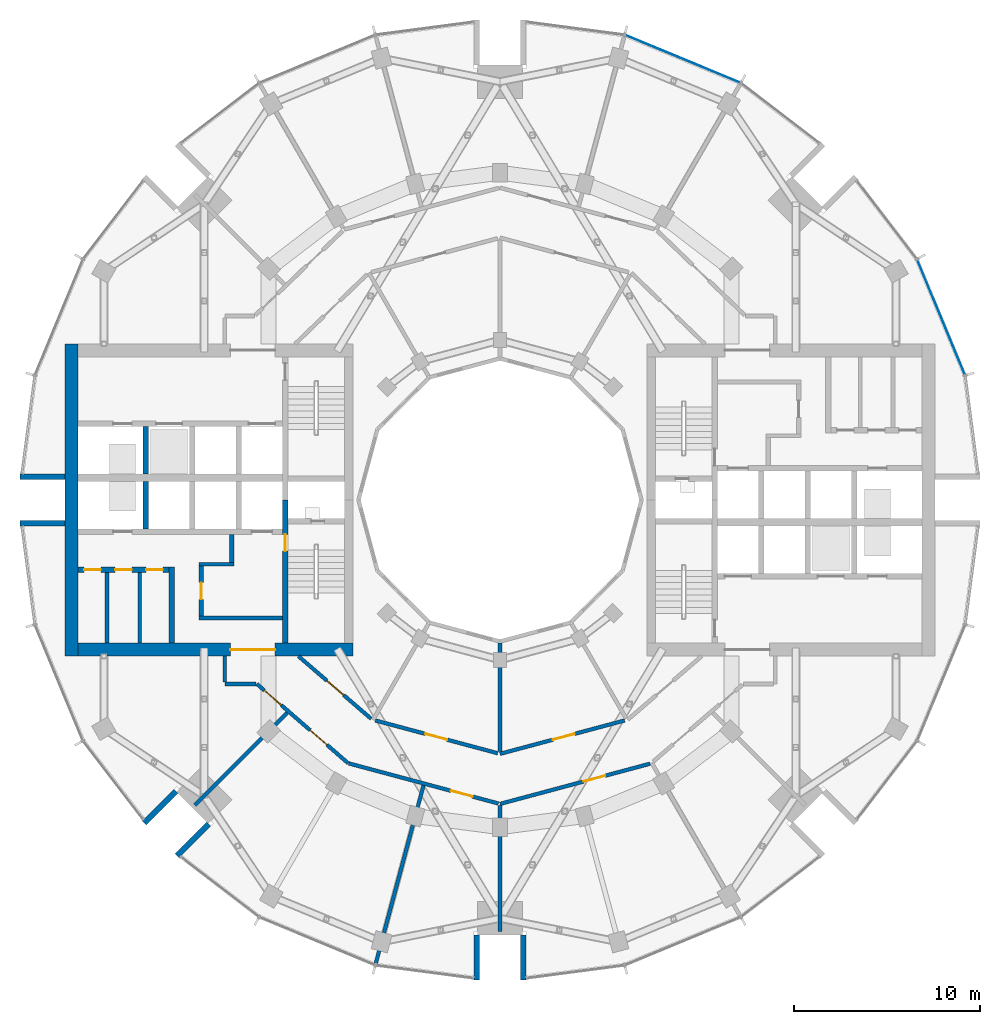
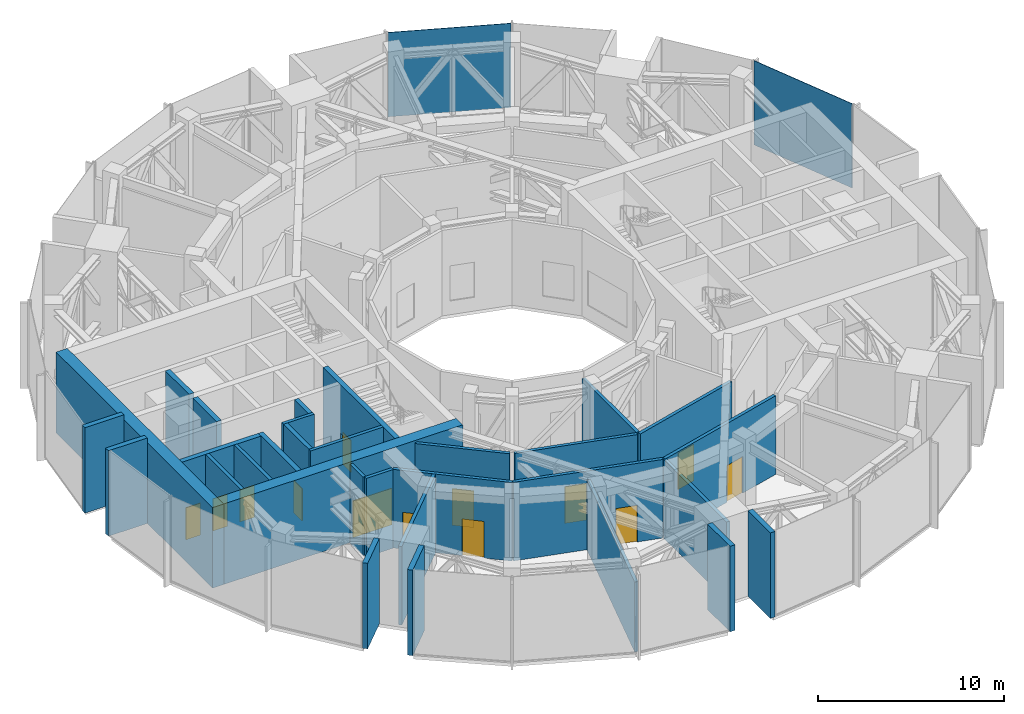
# One storey, part 12 of 18: 31 walls, 13 doors, 2 plates, 13 openings, 2 elements without a shape of their own.
"""IFC4 building model written with IfcOpenShell, lengths in metres."""

from ifc_helpers import new_model, si_unit, direction, frame, frame_2d, origin, origin_2d, place, context, subcontext, project, spatial, rectangle, extrude, material, layer, layer_set, type_object, element, fill, aggregate, save


model = new_model("IFC4")

# Units and contexts
model_context = context("Model", 3, precision=1e-05, world=origin(), true_north=direction((0.0, 1.0)))
body_context = subcontext(model_context, "Body", "Model", "MODEL_VIEW")
ifc_project = project(units=[si_unit("LENGTHUNIT", "METRE"), si_unit("AREAUNIT", "SQUARE_METRE"), si_unit("VOLUMEUNIT", "CUBIC_METRE"), si_unit("PLANEANGLEUNIT", "RADIAN"), si_unit("MASSUNIT", "GRAM", prefix="KILO")], contexts=[model_context])

# Site, building, storey
site_placement = place(None, origin())
site = spatial("IfcSite", under=ifc_project, at=site_placement, CompositionType="ELEMENT")
building_placement = place(site_placement, origin())
building = spatial("IfcBuilding", under=site, at=building_placement, Name="Torre Brocal", CompositionType="ELEMENT")
storey_placement = place(building_placement, frame((0.0, 0.0, 109.0)))
storey = spatial("IfcBuildingStorey", under=building, at=storey_placement, Name="L25", CompositionType="ELEMENT", Elevation=109.0)

# Curtain wall, plate
ifc_material_1 = material(Name="Aluminium and glass", Category="aluminium")
ifc_layer_1 = layer(ifc_material_1, 0.199951171875)
ifc_layer_set_1 = layer_set([ifc_layer_1], Name="Aluminium and glass")
curtain_wall_type = type_object("IfcCurtainWallType", Name="CW-1 CURTAIN WALL 5600 HIGH", PredefinedType="NOTDEFINED", material=ifc_layer_set_1)
curtain_wall_1_placement = place(storey_placement, origin())
curtain_wall_1 = element("IfcCurtainWall", 1, at=curtain_wall_1_placement, inside=storey, type_object=curtain_wall_type, Name="CW-1 RUN 2", PredefinedType="NOTDEFINED")
ifc_material_2 = material(Name="Aluminium composite panel", Category="aluminium")
ifc_layer_2 = layer(ifc_material_2, 0.031982421875)
ifc_layer_set_2 = layer_set([ifc_layer_2], Name="Aluminium composite panel")
plate_type = type_object("IfcPlateType", Name="CW-1 OPAQUE PANEL 32", PredefinedType="CURTAIN_PANEL", material=ifc_layer_set_2)
plate_1_placement = place(storey_placement, frame((103.722900390625, 84.826416015625, 0.080078125), z_axis=(0.0, 0.0, 1.0), x_axis=(-0.382683432333, 0.923879532525, 0.0)))
plate_1 = element("IfcPlate", 2, at=plate_1_placement, type_object=plate_type, Name="CW1-2 panel 1.1", PredefinedType="CURTAIN_PANEL", context=body_context, shape_type="SweptSolid", body=[
    extrude(rectangle(XDim=6.64111328125, YDim=0.031982421875, at=origin_2d()), origin(), (0.0, 0.0, 1.0), 5.52001953125),
])
aggregate(curtain_wall_1, [plate_1])

curtain_wall_2_placement = place(storey_placement, origin())
curtain_wall_2 = element("IfcCurtainWall", 3, at=curtain_wall_2_placement, inside=storey, type_object=curtain_wall_type, Name="CW-1 RUN 5", PredefinedType="NOTDEFINED")
plate_2_placement = place(storey_placement, frame((89.826416015625, 98.722900390625, 0.080078125), z_axis=(0.0, 0.0, 1.0), x_axis=(-0.923879532525, 0.382683432333, 0.0)))
plate_2 = element("IfcPlate", 4, at=plate_2_placement, type_object=plate_type, Name="CW1-2 panel 1.1", PredefinedType="CURTAIN_PANEL", context=body_context, shape_type="SweptSolid", body=[
    extrude(rectangle(XDim=6.64111328125, YDim=0.031982421875, at=origin_2d()), origin(), (0.0, 0.0, 1.0), 5.52001953125),
])
aggregate(curtain_wall_2, [plate_2])

# Walls
ifc_material_3 = material(Name="Masonry block", Category="masonry")
ifc_layer_3 = layer(ifc_material_3, 0.199951171875)
ifc_layer_set_3 = layer_set([ifc_layer_3], Name="Masonry block")
wall_type_1 = type_object("IfcWallType", Name="CORE PARTITION 200", PredefinedType="PARTITIONING", material=ifc_layer_set_3)
for number, where, z_axis, x_axis, name in (
    (5, (60.632080078125, 71.10009765625, 0.0), (0.0, 0.0, 1.0), (0.0, -1.0, 0.0), "Wall CP200"),
    (6, (58.867919921875, 71.10009765625, 0.0), (0.0, 0.0, 1.0), (0.0, -1.0, 0.0), "Wall CP200"),
):
    element("IfcWall", number, at=place(storey_placement, frame(where, z_axis=z_axis, x_axis=x_axis)), inside=storey, type_object=wall_type_1, Name=name, PredefinedType="PARTITIONING", context=body_context, shape_type="SweptSolid", body=[
        extrude(rectangle(XDim=3.800048828125, YDim=0.199951171875, at=frame_2d((1.89990234375, 0.0))), origin(), (0.0, 0.0, 1.0), 5.280029296875),
    ])
ifc_material_4 = material(Name="Concrete C70", Category="concrete")
ifc_layer_4 = layer(ifc_material_4, 0.199951171875)
ifc_layer_set_4 = layer_set([ifc_layer_4], Name="Concrete C70")
wall_type_2 = type_object("IfcWallType", Name="CORE WALL 200 C70", PredefinedType="SHEAR", material=ifc_layer_set_4)
wall_1_placement = place(storey_placement, frame((68.300048828125, 68.64990234375, 0.0), z_axis=(0.0, 0.0, 1.0), x_axis=(-1.0, 0.0, 0.0)))
element("IfcWall", 7, at=wall_1_placement, inside=storey, type_object=wall_type_2, Name="Wall CW200-70", PredefinedType="SHEAR", context=body_context, shape_type="SweptSolid", body=[
    extrude(rectangle(XDim=4.5, YDim=0.199951171875, at=frame_2d((2.25, 0.0))), origin(), (0.0, 0.0, 1.0), 5.280029296875),
])
wall_2_placement = place(storey_placement, frame((65.699951171875, 71.550048828125, 0.0), z_axis=(0.0, 0.0, 1.0), x_axis=(-1.0, 0.0, 0.0)))
element("IfcWall", 8, at=wall_2_placement, inside=storey, type_object=wall_type_2, Name="Wall CW200-70", PredefinedType="SHEAR", context=body_context, shape_type="SweptSolid", body=[
    extrude(rectangle(XDim=1.89990234375, YDim=0.199951171875, at=frame_2d((0.949951171875, 0.0))), origin(), (0.0, 0.0, 1.0), 5.280029296875),
])

# Wall, opening, door
ifc_material_5 = material(Name="Concrete C70", Category="concrete")
ifc_layer_5 = layer(ifc_material_5, 0.25)
ifc_layer_set_5 = layer_set([ifc_layer_5], Name="Concrete C70")
wall_type_3 = type_object("IfcWallType", Name="CORE WALL 250 C70", PredefinedType="SHEAR", material=ifc_layer_set_5)
wall_3_placement = place(storey_placement, frame((63.925048828125, 71.449951171875, 0.0), z_axis=(0.0, 0.0, 1.0), x_axis=(0.0, -1.0, 0.0)))
wall_3 = element("IfcWall", 9, at=wall_3_placement, inside=storey, type_object=wall_type_3, Name="Wall CW250-70", PredefinedType="SHEAR", context=body_context, shape_type="SweptSolid", body=[
    extrude(rectangle(XDim=2.699951171875, YDim=0.25, at=frame_2d((1.35009765625, 0.0))), origin(), (0.0, 0.0, 1.0), 5.280029296875),
])
opening_1_placement = place(wall_3_placement, frame((0.89990234375, 0.0, 0.0)))
opening_1 = element("IfcOpeningElement", 10, at=opening_1_placement, cuts=wall_3, Name="Opening W-D15", PredefinedType="OPENING", context=body_context, shape_type="SweptSolid", body=[
    extrude(rectangle(XDim=0.89990234375, YDim=2.10009765625, at=frame_2d((0.449951171875, 1.050048828125))), frame((0.0, 0.135009765625, 0.0), z_axis=(0.0, -1.0, 0.0), x_axis=(1.0, 0.0, 0.0)), (0.0, 0.0, 1.0), 0.27001953125),
])
ifc_material_6 = material(Name="Steel A653", Category="steel")
door_type_1 = type_object("IfcDoorType", Name="LOBBY DOOR FD120 900X2100", OperationType="SINGLE_SWING_RIGHT", PredefinedType="DOOR", material=ifc_material_6)
door_1_placement = place(opening_1_placement, origin())
door_1 = element("IfcDoor", 11, at=door_1_placement, inside=storey, type_object=door_type_1, Name="Door W-D15", OperationType="SINGLE_SWING_LEFT", OverallHeight=2.10009765625, OverallWidth=0.89990234375, PredefinedType="DOOR", context=body_context, shape_type="SweptSolid", body=[
    extrude(rectangle(XDim=0.89990234375, YDim=2.10009765625, at=frame_2d((0.449951171875, 1.050048828125))), frame((0.0, 0.02490234375, 0.0), z_axis=(0.0, -1.0, 0.0), x_axis=(1.0, 0.0, 0.0)), (0.0, 0.0, 1.0), 0.050048828125),
])
fill(opening_1, door_1)

# Wall
wall_4_placement = place(storey_placement, frame((65.574951171875, 73.14990234375, 0.0), z_axis=(0.0, 0.0, 1.0), x_axis=(0.0, -1.0, 0.0)))
element("IfcWall", 12, at=wall_4_placement, inside=storey, type_object=wall_type_3, Name="Wall CW250-70", PredefinedType="SHEAR", context=body_context, shape_type="SweptSolid", body=[
    extrude(rectangle(XDim=1.5, YDim=0.25, at=frame_2d((0.75, 0.0))), origin(), (0.0, 0.0, 1.0), 5.280029296875),
])

# Wall, opening, door
ifc_material_7 = material(Name="Concrete C70", Category="concrete")
ifc_layer_6 = layer(ifc_material_7, 0.300048828125)
ifc_layer_set_6 = layer_set([ifc_layer_6], Name="Concrete C70")
wall_type_4 = type_object("IfcWallType", Name="CORE WALL 300 C70", PredefinedType="SHEAR", material=ifc_layer_set_6)
wall_5_placement = place(storey_placement, frame((68.449951171875, 75.0, 0.0), z_axis=(0.0, 0.0, 1.0), x_axis=(0.0, -1.0, 0.0)))
wall_5 = element("IfcWall", 13, at=wall_5_placement, inside=storey, type_object=wall_type_4, Name="Wall CW300-70", PredefinedType="SHEAR", context=body_context, shape_type="SweptSolid", body=[
    extrude(rectangle(XDim=7.699951171875, YDim=0.300048828125, at=frame_2d((3.85009765625, 0.0))), origin(), (0.0, 0.0, 1.0), 5.280029296875),
])
opening_2_placement = place(wall_5_placement, frame((1.85009765625, 0.0, 0.0)))
opening_2 = element("IfcOpeningElement", 14, at=opening_2_placement, cuts=wall_5, Name="Opening W-D02", PredefinedType="OPENING", context=body_context, shape_type="SweptSolid", body=[
    extrude(rectangle(XDim=0.89990234375, YDim=2.10009765625, at=frame_2d((0.449951171875, 1.050048828125))), frame((0.0, 0.159912109375, 0.0), z_axis=(0.0, -1.0, 0.0), x_axis=(1.0, 0.0, 0.0)), (0.0, 0.0, 1.0), 0.320068359375),
])
ifc_material_8 = material(Name="Steel A653", Category="steel")
door_type_2 = type_object("IfcDoorType", Name="STAIR DOOR FD120 900X2100", OperationType="SINGLE_SWING_RIGHT", PredefinedType="DOOR", material=ifc_material_8)
door_2_placement = place(opening_2_placement, origin())
door_2 = element("IfcDoor", 15, at=door_2_placement, inside=storey, type_object=door_type_2, Name="Door W-D02", OperationType="SINGLE_SWING_LEFT", OverallHeight=2.10009765625, OverallWidth=0.89990234375, PredefinedType="DOOR", context=body_context, shape_type="SweptSolid", body=[
    extrude(rectangle(XDim=0.89990234375, YDim=2.10009765625, at=frame_2d((0.449951171875, 1.050048828125))), frame((0.0, 0.02490234375, 0.0), z_axis=(0.0, -1.0, 0.0), x_axis=(1.0, 0.0, 0.0)), (0.0, 0.0, 1.0), 0.050048828125),
])
fill(opening_2, door_2)

# Walls
for number, where, z_axis, x_axis, name in (
    (16, (60.949951171875, 76.0, 0.0), (0.0, 0.0, 1.0), (0.0, -1.0, 0.0), "Wall CW300-70"),
    (17, (60.949951171875, 78.949951171875, 0.0), (0.0, 0.0, 1.0), (0.0, -1.0, 0.0), "Wall CW300-70"),
):
    element("IfcWall", number, at=place(storey_placement, frame(where, z_axis=z_axis, x_axis=x_axis)), inside=storey, type_object=wall_type_4, Name=name, PredefinedType="SHEAR", context=body_context, shape_type="SweptSolid", body=[
        extrude(rectangle(XDim=2.550048828125, YDim=0.300048828125, at=frame_2d((1.27490234375, 0.0))), origin(), (0.0, 0.0, 1.0), 5.280029296875),
    ])
wall_6_placement = place(storey_placement, frame((62.35009765625, 71.39990234375, 0.0), z_axis=(0.0, 0.0, 1.0), x_axis=(0.0, -1.0, 0.0)))
element("IfcWall", 18, at=wall_6_placement, inside=storey, type_object=wall_type_4, Name="Wall CW300-70", PredefinedType="SHEAR", context=body_context, shape_type="SweptSolid", body=[
    extrude(rectangle(XDim=4.099853515625, YDim=0.300048828125, at=frame_2d((2.0498046875, 0.0))), origin(), (0.0, 0.0, 1.0), 5.280029296875),
])

# Wall, openings, doors
wall_7_placement = place(storey_placement, frame((62.199951171875, 71.25, 0.0), z_axis=(0.0, 0.0, 1.0), x_axis=(-1.0, 0.0, 0.0)))
wall_7 = element("IfcWall", 19, at=wall_7_placement, inside=storey, type_object=wall_type_4, Name="Wall CW300-70", PredefinedType="SHEAR", context=body_context, shape_type="SweptSolid", body=[
    extrude(rectangle(XDim=4.89990234375, YDim=0.300048828125, at=frame_2d((2.449951171875, 0.0))), origin(), (0.0, 0.0, 1.0), 5.280029296875),
])
opening_3_placement = place(wall_7_placement, frame((0.333984375, 0.0, 0.0)))
opening_3 = element("IfcOpeningElement", 20, at=opening_3_placement, cuts=wall_7, Name="Opening W-D05", PredefinedType="OPENING", context=body_context, shape_type="SweptSolid", body=[
    extrude(rectangle(XDim=0.89990234375, YDim=2.10009765625, at=frame_2d((0.449951171875, 1.050048828125))), frame((0.0, 0.159912109375, 0.0), z_axis=(0.0, -1.0, 0.0), x_axis=(1.0, 0.0, 0.0)), (0.0, 0.0, 1.0), 0.320068359375),
])
opening_4_placement = place(wall_7_placement, frame((2.0, 0.0, 0.0)))
opening_4 = element("IfcOpeningElement", 21, at=opening_4_placement, cuts=wall_7, Name="Opening W-D06", PredefinedType="OPENING", context=body_context, shape_type="SweptSolid", body=[
    extrude(rectangle(XDim=0.89990234375, YDim=2.10009765625, at=frame_2d((0.449951171875, 1.050048828125))), frame((0.0, 0.159912109375, 0.0), z_axis=(0.0, -1.0, 0.0), x_axis=(1.0, 0.0, 0.0)), (0.0, 0.0, 1.0), 0.320068359375),
])
opening_5_placement = place(wall_7_placement, frame((3.666015625, 0.0, 0.0)))
opening_5 = element("IfcOpeningElement", 22, at=opening_5_placement, cuts=wall_7, Name="Opening W-D07", PredefinedType="OPENING", context=body_context, shape_type="SweptSolid", body=[
    extrude(rectangle(XDim=0.89990234375, YDim=2.10009765625, at=frame_2d((0.449951171875, 1.050048828125))), frame((0.0, 0.159912109375, 0.0), z_axis=(0.0, -1.0, 0.0), x_axis=(1.0, 0.0, 0.0)), (0.0, 0.0, 1.0), 0.320068359375),
])
ifc_material_9 = material(Name="Steel A653", Category="steel")
door_type_3 = type_object("IfcDoorType", Name="ROOM DOOR FD30S 900X2100", OperationType="SINGLE_SWING_LEFT", PredefinedType="DOOR", material=ifc_material_9)
door_3_placement = place(opening_3_placement, origin())
door_3 = element("IfcDoor", 23, at=door_3_placement, inside=storey, type_object=door_type_3, Name="Door W-D05", OperationType="SINGLE_SWING_RIGHT", OverallHeight=2.10009765625, OverallWidth=0.89990234375, PredefinedType="DOOR", context=body_context, shape_type="SweptSolid", body=[
    extrude(rectangle(XDim=0.89990234375, YDim=2.10009765625, at=frame_2d((0.449951171875, 1.050048828125))), frame((0.0, 0.02490234375, 0.0), z_axis=(0.0, -1.0, 0.0), x_axis=(1.0, 0.0, 0.0)), (0.0, 0.0, 1.0), 0.050048828125),
])
fill(opening_3, door_3)
door_4_placement = place(opening_4_placement, origin())
door_4 = element("IfcDoor", 24, at=door_4_placement, inside=storey, type_object=door_type_3, Name="Door W-D06", OperationType="SINGLE_SWING_LEFT", OverallHeight=2.10009765625, OverallWidth=0.89990234375, PredefinedType="DOOR", context=body_context, shape_type="SweptSolid", body=[
    extrude(rectangle(XDim=0.89990234375, YDim=2.10009765625, at=frame_2d((0.449951171875, 1.050048828125))), frame((0.0, 0.02490234375, 0.0), z_axis=(0.0, -1.0, 0.0), x_axis=(1.0, 0.0, 0.0)), (0.0, 0.0, 1.0), 0.050048828125),
])
fill(opening_4, door_4)
door_5_placement = place(opening_5_placement, origin())
door_5 = element("IfcDoor", 25, at=door_5_placement, inside=storey, type_object=door_type_3, Name="Door W-D07", OperationType="SINGLE_SWING_LEFT", OverallHeight=2.10009765625, OverallWidth=0.89990234375, PredefinedType="DOOR", context=body_context, shape_type="SweptSolid", body=[
    extrude(rectangle(XDim=0.89990234375, YDim=2.10009765625, at=frame_2d((0.449951171875, 1.050048828125))), frame((0.0, 0.02490234375, 0.0), z_axis=(0.0, -1.0, 0.0), x_axis=(1.0, 0.0, 0.0)), (0.0, 0.0, 1.0), 0.050048828125),
])
fill(opening_5, door_5)

# Wall, opening, door
ifc_material_10 = material(Name="Concrete C70", Category="concrete")
ifc_layer_7 = layer(ifc_material_10, 0.699951171875)
ifc_layer_set_7 = layer_set([ifc_layer_7], Name="Concrete C70")
wall_type_5 = type_object("IfcWallType", Name="CORE WALL 700 C70", PredefinedType="SHEAR", material=ifc_layer_set_7)
wall_8_placement = place(storey_placement, frame((72.10009765625, 66.949951171875, 0.0), z_axis=(0.0, 0.0, 1.0), x_axis=(-1.0, 0.0, 0.0)))
wall_8 = element("IfcWall", 26, at=wall_8_placement, inside=storey, type_object=wall_type_5, Name="Wall CW700-70", PredefinedType="SHEAR", context=body_context, shape_type="SweptSolid", body=[
    extrude(rectangle(XDim=14.800048828125, YDim=0.699951171875, at=frame_2d((7.39990234375, 0.0))), origin(), (0.0, 0.0, 1.0), 5.280029296875),
])
opening_6_placement = place(wall_8_placement, frame((4.199951171875, 0.0, 0.0)))
opening_6 = element("IfcOpeningElement", 27, at=opening_6_placement, cuts=wall_8, Name="Opening W-D27", PredefinedType="OPENING", context=body_context, shape_type="SweptSolid", body=[
    extrude(rectangle(XDim=2.39990234375, YDim=2.39990234375, at=frame_2d((1.199951171875, 1.199951171875))), frame((0.0, 0.35986328125, 0.0), z_axis=(0.0, -1.0, 0.0), x_axis=(1.0, 0.0, 0.0)), (0.0, 0.0, 1.0), 0.719970703125),
])
ifc_material_11 = material(Name="Steel A653", Category="steel")
door_type_4 = type_object("IfcDoorType", Name="DOUBLE FIRE DOOR FD90 2400X2400", OperationType="DOUBLE_DOOR_SINGLE_SWING", PredefinedType="DOOR", material=ifc_material_11)
door_6_placement = place(opening_6_placement, frame((2.39990234375, 0.0, 0.0), z_axis=(0.0, 0.0, 1.0), x_axis=(-1.0, 0.0, 0.0)))
door_6 = element("IfcDoor", 28, at=door_6_placement, inside=storey, type_object=door_type_4, Name="Door W-D27", OperationType="DOUBLE_DOOR_SINGLE_SWING", OverallHeight=2.39990234375, OverallWidth=2.39990234375, PredefinedType="DOOR", context=body_context, shape_type="SweptSolid", body=[
    extrude(rectangle(XDim=2.39990234375, YDim=2.39990234375, at=frame_2d((1.199951171875, 1.199951171875))), frame((0.0, 0.02490234375, 0.0), z_axis=(0.0, -1.0, 0.0), x_axis=(1.0, 0.0, 0.0)), (0.0, 0.0, 1.0), 0.050048828125),
])
fill(opening_6, door_6)

# Walls
wall_9_placement = place(storey_placement, frame((56.949951171875, 83.39990234375, 0.0), z_axis=(0.0, 0.0, 1.0), x_axis=(0.0, -1.0, 0.0)))
element("IfcWall", 29, at=wall_9_placement, inside=storey, type_object=wall_type_5, Name="Wall CW700-70", PredefinedType="SHEAR", context=body_context, shape_type="SweptSolid", body=[
    extrude(rectangle(XDim=16.7998046875, YDim=0.699951171875, at=frame_2d((8.39990234375, 0.0))), origin(), (0.0, 0.0, 1.0), 5.280029296875),
])
ifc_material_12 = material(Name="Concrete C70", Category="concrete")
ifc_layer_8 = layer(ifc_material_12, 0.300048828125)
ifc_layer_set_8 = layer_set([ifc_layer_8], Name="Concrete C70")
wall_type_6 = type_object("IfcWallType", Name="NOTCH RETURN WALL 300 C70", PredefinedType="NOTDEFINED", material=ifc_layer_set_8)
for number, where, z_axis, x_axis, name in (
    (30, (56.60009765625, 76.25, 0.0), (0.0, 0.0, 1.0), (-1.0, 0.0, 0.0), "NOTCH RETURN WALL"),
    (31, (56.60009765625, 73.75, 0.0), (0.0, 0.0, 1.0), (-1.0, 0.0, 0.0), "NOTCH RETURN WALL"),
    (32, (62.56982421875, 59.337646484375, 0.0), (0.0, 0.0, 1.0), (-0.707106781187, -0.707106781187, 0.0), "NOTCH RETURN WALL"),
    (33, (64.337646484375, 57.56982421875, 0.0), (0.0, 0.0, 1.0), (-0.707106781187, -0.707106781187, 0.0), "NOTCH RETURN WALL"),
    (34, (78.75, 51.60009765625, 0.0), (0.0, 0.0, 1.0), (0.0, -1.0, 0.0), "NOTCH RETURN WALL"),
    (35, (81.25, 51.60009765625, 0.0), (0.0, 0.0, 1.0), (0.0, -1.0, 0.0), "NOTCH RETURN WALL"),
):
    element("IfcWall", number, at=place(storey_placement, frame(where, z_axis=z_axis, x_axis=x_axis)), inside=storey, type_object=wall_type_6, Name=name, PredefinedType="NOTDEFINED", context=body_context, shape_type="SweptSolid", body=[
        extrude(rectangle(XDim=2.415771484375, YDim=0.300048828125, at=frame_2d((1.2080078125, 0.0))), origin(), (0.0, 0.0, 1.0), 5.60009765625),
    ])
ifc_material_13 = material(Name="Masonry block", Category="masonry")
ifc_layer_9 = layer(ifc_material_13, 0.199951171875)
ifc_layer_set_9 = layer_set([ifc_layer_9], Name="Masonry block")
wall_type_7 = type_object("IfcWallType", Name="PARTITION 200 EI120", PredefinedType="PARTITIONING", material=ifc_layer_set_9)
wall_10_placement = place(storey_placement, frame((63.59619140625, 58.59619140625, 0.0), z_axis=(0.0, 0.0, 1.0), x_axis=(0.707106781187, 0.707106781187, 0.0)))
element("IfcWall", 36, at=wall_10_placement, inside=storey, type_object=wall_type_7, Name="PLANT ROOM WALL", PredefinedType="PARTITIONING", context=body_context, shape_type="SweptSolid", body=[
    extrude(rectangle(XDim=7.0048828125, YDim=0.199951171875, at=frame_2d((3.50244140625, 0.0))), origin(), (0.0, 0.0, 1.0), 5.14990234375),
])
wall_11_placement = place(storey_placement, frame((65.199951171875, 65.199951171875, 0.0), z_axis=(0.0, 0.0, 1.0), x_axis=(0.0, 1.0, 0.0)))
element("IfcWall", 37, at=wall_11_placement, inside=storey, type_object=wall_type_7, Name="PLANT ROOM WALL", PredefinedType="PARTITIONING", context=body_context, shape_type="SweptSolid", body=[
    extrude(rectangle(XDim=1.399169921875, YDim=0.199951171875, at=frame_2d((0.69970703125, 0.0))), origin(), (0.0, 0.0, 1.0), 5.14990234375),
])
wall_12_placement = place(storey_placement, frame((65.199951171875, 65.10009765625, 0.0), z_axis=(0.0, 0.0, 1.0), x_axis=(1.0, 0.0, 0.0)))
element("IfcWall", 38, at=wall_12_placement, inside=storey, type_object=wall_type_7, Name="PLANT ROOM WALL", PredefinedType="PARTITIONING", context=body_context, shape_type="SweptSolid", body=[
    extrude(rectangle(XDim=1.6650390625, YDim=0.199951171875, at=frame_2d((0.83251953125, 0.0))), origin(), (0.0, 0.0, 1.0), 5.14990234375),
])

# Wall, openings, doors
wall_13_placement = place(storey_placement, frame((66.921875, 65.10791015625, 0.0), z_axis=(0.0, 0.0, 1.0), x_axis=(0.755027260387, -0.655693400968, 0.0)))
wall_13 = element("IfcWall", 39, at=wall_13_placement, inside=storey, type_object=wall_type_7, Name="PLANT ROOM WALL", PredefinedType="PARTITIONING", context=body_context, shape_type="SweptSolid", body=[
    extrude(rectangle(XDim=6.515625, YDim=0.199951171875, at=frame_2d((3.2578125, 0.0))), origin(), (0.0, 0.0, 1.0), 5.14990234375),
])
opening_7_placement = place(wall_13_placement, frame((3.79248046875, 0.0, 0.0)))
opening_7 = element("IfcOpeningElement", 40, at=opening_7_placement, cuts=wall_13, Name="Opening X1-D15", PredefinedType="OPENING", context=body_context, shape_type="SweptSolid", body=[
    extrude(rectangle(XDim=1.199951171875, YDim=2.39990234375, at=frame_2d((0.60009765625, 1.199951171875))), frame((0.0, 0.10986328125, 0.0), z_axis=(0.0, -1.0, 0.0), x_axis=(1.0, 0.0, 0.0)), (0.0, 0.0, 1.0), 0.219970703125),
])
opening_8_placement = place(wall_13_placement, frame((0.538818359375, 0.0, 0.0)))
opening_8 = element("IfcOpeningElement", 41, at=opening_8_placement, cuts=wall_13, Name="Opening X1-D16", PredefinedType="OPENING", context=body_context, shape_type="SweptSolid", body=[
    extrude(rectangle(XDim=1.199951171875, YDim=2.39990234375, at=frame_2d((0.60009765625, 1.199951171875))), frame((0.0, 0.10986328125, 0.0), z_axis=(0.0, -1.0, 0.0), x_axis=(1.0, 0.0, 0.0)), (0.0, 0.0, 1.0), 0.219970703125),
])
ifc_material_14 = material(Name="Steel A653", Category="steel")
door_type_5 = type_object("IfcDoorType", Name="PLANT DOOR FD90 1200X2400", OperationType="SINGLE_SWING_RIGHT", PredefinedType="DOOR", material=ifc_material_14)
door_7_placement = place(opening_7_placement, frame((1.199951171875, 0.0, 0.0), z_axis=(0.0, 0.0, 1.0), x_axis=(-1.0, 0.0, 0.0)))
door_7 = element("IfcDoor", 42, at=door_7_placement, inside=storey, type_object=door_type_5, Name="X1-D15", OperationType="SINGLE_SWING_RIGHT", OverallHeight=2.39990234375, OverallWidth=1.199951171875, PredefinedType="DOOR", context=body_context, shape_type="SweptSolid", body=[
    extrude(rectangle(XDim=1.199951171875, YDim=2.39990234375, at=frame_2d((0.60009765625, 1.199951171875))), frame((0.0, 0.02490234375, 0.0), z_axis=(0.0, -1.0, 0.0), x_axis=(1.0, 0.0, 0.0)), (0.0, 0.0, 1.0), 0.050048828125),
])
fill(opening_7, door_7)
door_8_placement = place(opening_8_placement, frame((1.199951171875, 0.0, 0.0), z_axis=(0.0, 0.0, 1.0), x_axis=(-1.0, 0.0, 0.0)))
door_8 = element("IfcDoor", 43, at=door_8_placement, inside=storey, type_object=door_type_5, Name="X1-D16", OperationType="SINGLE_SWING_LEFT", OverallHeight=2.39990234375, OverallWidth=1.199951171875, PredefinedType="DOOR", context=body_context, shape_type="SweptSolid", body=[
    extrude(rectangle(XDim=1.199951171875, YDim=2.39990234375, at=frame_2d((0.60009765625, 1.199951171875))), frame((0.0, 0.02490234375, 0.0), z_axis=(0.0, -1.0, 0.0), x_axis=(1.0, 0.0, 0.0)), (0.0, 0.0, 1.0), 0.050048828125),
])
fill(opening_8, door_8)

# Wall, opening, door
wall_14_placement = place(storey_placement, frame((69.157958984375, 66.60009765625, 0.0), z_axis=(0.0, 0.0, 1.0), x_axis=(0.758063092745, -0.652181222835, 0.0)))
wall_14 = element("IfcWall", 44, at=wall_14_placement, inside=storey, type_object=wall_type_7, Name="PLANT ROOM WALL", PredefinedType="PARTITIONING", context=body_context, shape_type="SweptSolid", body=[
    extrude(rectangle(XDim=5.160400390625, YDim=0.199951171875, at=frame_2d((2.580078125, 0.0))), origin(), (0.0, 0.0, 1.0), 5.14990234375),
])
opening_9_placement = place(wall_14_placement, frame((2.01513671875, 0.0, 0.0)))
opening_9 = element("IfcOpeningElement", 45, at=opening_9_placement, cuts=wall_14, Name="Opening X1-D20", PredefinedType="OPENING", context=body_context, shape_type="SweptSolid", body=[
    extrude(rectangle(XDim=1.199951171875, YDim=2.39990234375, at=frame_2d((0.60009765625, 1.199951171875))), frame((0.0, 0.10986328125, 0.0), z_axis=(0.0, -1.0, 0.0), x_axis=(1.0, 0.0, 0.0)), (0.0, 0.0, 1.0), 0.219970703125),
])
door_9_placement = place(opening_9_placement, origin())
door_9 = element("IfcDoor", 46, at=door_9_placement, inside=storey, type_object=door_type_5, Name="X1-D20", OperationType="SINGLE_SWING_LEFT", OverallHeight=2.39990234375, OverallWidth=1.199951171875, PredefinedType="DOOR", context=body_context, shape_type="SweptSolid", body=[
    extrude(rectangle(XDim=1.199951171875, YDim=2.39990234375, at=frame_2d((0.60009765625, 1.199951171875))), frame((0.0, 0.02490234375, 0.0), z_axis=(0.0, -1.0, 0.0), x_axis=(1.0, 0.0, 0.0)), (0.0, 0.0, 1.0), 0.050048828125),
])
fill(opening_9, door_9)

wall_15_placement = place(storey_placement, frame((71.876953125, 60.8310546875, 0.0), z_axis=(0.0, 0.0, 1.0), x_axis=(0.965893155099, -0.258940944876, 0.0)))
wall_15 = element("IfcWall", 47, at=wall_15_placement, inside=storey, type_object=wall_type_7, Name="PLANT ROOM WALL", PredefinedType="PARTITIONING", context=body_context, shape_type="SweptSolid", body=[
    extrude(rectangle(XDim=8.319580078125, YDim=0.199951171875, at=frame_2d((4.15966796875, 0.0))), origin(), (0.0, 0.0, 1.0), 5.14990234375),
])
opening_10_placement = place(wall_15_placement, frame((5.684814453125, 0.0, 0.0)))
opening_10 = element("IfcOpeningElement", 48, at=opening_10_placement, cuts=wall_15, Name="Opening X1-D14", PredefinedType="OPENING", context=body_context, shape_type="SweptSolid", body=[
    extrude(rectangle(XDim=1.199951171875, YDim=2.39990234375, at=frame_2d((0.60009765625, 1.199951171875))), frame((0.0, 0.10986328125, 0.0), z_axis=(0.0, -1.0, 0.0), x_axis=(1.0, 0.0, 0.0)), (0.0, 0.0, 1.0), 0.219970703125),
])
door_10_placement = place(opening_10_placement, frame((1.199951171875, 0.0, 0.0), z_axis=(0.0, 0.0, 1.0), x_axis=(-1.0, 0.0, 0.0)))
door_10 = element("IfcDoor", 49, at=door_10_placement, inside=storey, type_object=door_type_5, Name="X1-D14", OperationType="SINGLE_SWING_RIGHT", OverallHeight=2.39990234375, OverallWidth=1.199951171875, PredefinedType="DOOR", context=body_context, shape_type="SweptSolid", body=[
    extrude(rectangle(XDim=1.199951171875, YDim=2.39990234375, at=frame_2d((0.60009765625, 1.199951171875))), frame((0.0, 0.02490234375, 0.0), z_axis=(0.0, -1.0, 0.0), x_axis=(1.0, 0.0, 0.0)), (0.0, 0.0, 1.0), 0.050048828125),
])
fill(opening_10, door_10)

wall_16_placement = place(storey_placement, frame((73.296875, 63.142578125, 0.0), z_axis=(0.0, 0.0, 1.0), x_axis=(0.965899714105, -0.258916477443, 0.0)))
wall_16 = element("IfcWall", 50, at=wall_16_placement, inside=storey, type_object=wall_type_7, Name="PLANT ROOM WALL", PredefinedType="PARTITIONING", context=body_context, shape_type="SweptSolid", body=[
    extrude(rectangle(XDim=6.809814453125, YDim=0.199951171875, at=frame_2d((3.40478515625, 0.0))), origin(), (0.0, 0.0, 1.0), 5.14990234375),
])
opening_11_placement = place(wall_16_placement, frame((2.7958984375, 0.0, 0.0)))
opening_11 = element("IfcOpeningElement", 51, at=opening_11_placement, cuts=wall_16, Name="Opening X1-D19", PredefinedType="OPENING", context=body_context, shape_type="SweptSolid", body=[
    extrude(rectangle(XDim=1.199951171875, YDim=2.39990234375, at=frame_2d((0.60009765625, 1.199951171875))), frame((0.0, 0.10986328125, 0.0), z_axis=(0.0, -1.0, 0.0), x_axis=(1.0, 0.0, 0.0)), (0.0, 0.0, 1.0), 0.219970703125),
])
door_11_placement = place(opening_11_placement, origin())
door_11 = element("IfcDoor", 52, at=door_11_placement, inside=storey, type_object=door_type_5, Name="X1-D19", OperationType="SINGLE_SWING_LEFT", OverallHeight=2.39990234375, OverallWidth=1.199951171875, PredefinedType="DOOR", context=body_context, shape_type="SweptSolid", body=[
    extrude(rectangle(XDim=1.199951171875, YDim=2.39990234375, at=frame_2d((0.60009765625, 1.199951171875))), frame((0.0, 0.02490234375, 0.0), z_axis=(0.0, -1.0, 0.0), x_axis=(1.0, 0.0, 0.0)), (0.0, 0.0, 1.0), 0.050048828125),
])
fill(opening_11, door_11)

# Wall
wall_17_placement = place(storey_placement, frame((80.0, 51.801025390625, 0.0), z_axis=(0.0, 0.0, 1.0), x_axis=(0.0, 1.0, 0.0)))
element("IfcWall", 53, at=wall_17_placement, inside=storey, type_object=wall_type_7, Name="PLANT ROOM WALL", PredefinedType="PARTITIONING", context=body_context, shape_type="SweptSolid", body=[
    extrude(rectangle(XDim=6.761962890625, YDim=0.199951171875, at=frame_2d((3.380859375, 0.0))), origin(), (0.0, 0.0, 1.0), 5.14990234375),
])

# Wall, opening, door
wall_18_placement = place(storey_placement, frame((80.0, 58.65380859375, 0.0), z_axis=(0.0, 0.0, 1.0), x_axis=(0.965905026676, 0.258896657842, 0.0)))
wall_18 = element("IfcWall", 54, at=wall_18_placement, inside=storey, type_object=wall_type_7, Name="PLANT ROOM WALL", PredefinedType="PARTITIONING", context=body_context, shape_type="SweptSolid", body=[
    extrude(rectangle(XDim=8.359619140625, YDim=0.199951171875, at=frame_2d((4.1796875, 0.0))), origin(), (0.0, 0.0, 1.0), 5.14990234375),
])
opening_12_placement = place(wall_18_placement, frame((4.65478515625, 0.0, 0.0)))
opening_12 = element("IfcOpeningElement", 55, at=opening_12_placement, cuts=wall_18, Name="Opening X1-D13", PredefinedType="OPENING", context=body_context, shape_type="SweptSolid", body=[
    extrude(rectangle(XDim=1.199951171875, YDim=2.39990234375, at=frame_2d((0.60009765625, 1.199951171875))), frame((0.0, 0.10986328125, 0.0), z_axis=(0.0, -1.0, 0.0), x_axis=(1.0, 0.0, 0.0)), (0.0, 0.0, 1.0), 0.219970703125),
])
door_12_placement = place(opening_12_placement, frame((1.199951171875, 0.0, 0.0), z_axis=(0.0, 0.0, 1.0), x_axis=(-1.0, 0.0, 0.0)))
door_12 = element("IfcDoor", 56, at=door_12_placement, inside=storey, type_object=door_type_5, Name="X1-D13", OperationType="SINGLE_SWING_LEFT", OverallHeight=2.39990234375, OverallWidth=1.199951171875, PredefinedType="DOOR", context=body_context, shape_type="SweptSolid", body=[
    extrude(rectangle(XDim=1.199951171875, YDim=2.39990234375, at=frame_2d((0.60009765625, 1.199951171875))), frame((0.0, 0.02490234375, 0.0), z_axis=(0.0, -1.0, 0.0), x_axis=(1.0, 0.0, 0.0)), (0.0, 0.0, 1.0), 0.050048828125),
])
fill(opening_12, door_12)

# Wall
wall_19_placement = place(storey_placement, frame((80.0, 61.47607421875, 0.0), z_axis=(0.0, 0.0, 1.0), x_axis=(0.0, 1.0, 0.0)))
element("IfcWall", 57, at=wall_19_placement, inside=storey, type_object=wall_type_7, Name="PLANT ROOM WALL", PredefinedType="PARTITIONING", context=body_context, shape_type="SweptSolid", body=[
    extrude(rectangle(XDim=5.824951171875, YDim=0.199951171875, at=frame_2d((2.91259765625, 0.0))), origin(), (0.0, 0.0, 1.0), 5.14990234375),
])

# Wall, opening, door
wall_20_placement = place(storey_placement, frame((80.0, 61.345947265625, 0.0), z_axis=(0.0, 0.0, 1.0), x_axis=(0.965915385935, 0.25885800589, 0.0)))
wall_20 = element("IfcWall", 58, at=wall_20_placement, inside=storey, type_object=wall_type_7, Name="PLANT ROOM WALL", PredefinedType="PARTITIONING", context=body_context, shape_type="SweptSolid", body=[
    extrude(rectangle(XDim=6.939697265625, YDim=0.199951171875, at=frame_2d((3.4697265625, 0.0))), origin(), (0.0, 0.0, 1.0), 5.14990234375),
])
opening_13_placement = place(wall_20_placement, frame((2.94384765625, 0.0, 0.0)))
opening_13 = element("IfcOpeningElement", 59, at=opening_13_placement, cuts=wall_20, Name="Opening X1-D18", PredefinedType="OPENING", context=body_context, shape_type="SweptSolid", body=[
    extrude(rectangle(XDim=1.199951171875, YDim=2.39990234375, at=frame_2d((0.60009765625, 1.199951171875))), frame((0.0, 0.10986328125, 0.0), z_axis=(0.0, -1.0, 0.0), x_axis=(1.0, 0.0, 0.0)), (0.0, 0.0, 1.0), 0.219970703125),
])
door_13_placement = place(opening_13_placement, origin())
door_13 = element("IfcDoor", 60, at=door_13_placement, inside=storey, type_object=door_type_5, Name="X1-D18", OperationType="SINGLE_SWING_RIGHT", OverallHeight=2.39990234375, OverallWidth=1.199951171875, PredefinedType="DOOR", context=body_context, shape_type="SweptSolid", body=[
    extrude(rectangle(XDim=1.199951171875, YDim=2.39990234375, at=frame_2d((0.60009765625, 1.199951171875))), frame((0.0, 0.02490234375, 0.0), z_axis=(0.0, -1.0, 0.0), x_axis=(1.0, 0.0, 0.0)), (0.0, 0.0, 1.0), 0.050048828125),
])
fill(opening_13, door_13)

# Wall
ifc_material_15 = material(Name="Masonry block", Category="masonry")
ifc_layer_10 = layer(ifc_material_15, 0.199951171875)
ifc_layer_set_10 = layer_set([ifc_layer_10], Name="Masonry block")
wall_type_8 = type_object("IfcWallType", Name="PARTITION 200 EI120 UNDER BEAM 1014", PredefinedType="PARTITIONING", material=ifc_layer_set_10)
wall_21_placement = place(storey_placement, frame((73.321044921875, 50.081298828125, 0.0), z_axis=(0.0, 0.0, 1.0), x_axis=(0.258890856201, 0.965906581702, 0.0)))
element("IfcWall", 61, at=wall_21_placement, inside=storey, type_object=wall_type_8, Name="PLANT ROOM WALL", PredefinedType="PARTITIONING", context=body_context, shape_type="SweptSolid", body=[
    extrude(rectangle(XDim=9.908447265625, YDim=0.199951171875, at=frame_2d((4.9541015625, 0.0))), origin(), (0.0, 0.0, 1.0), 4.5859375),
])

save(model, "model.ifc")
